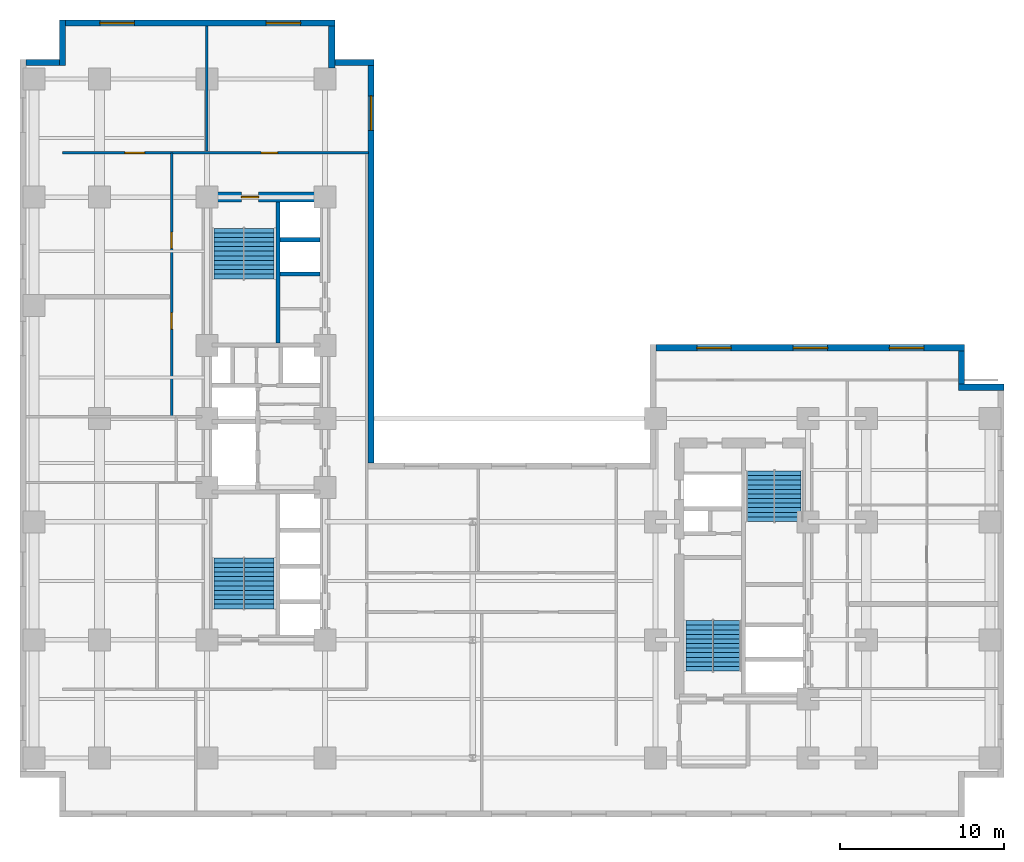
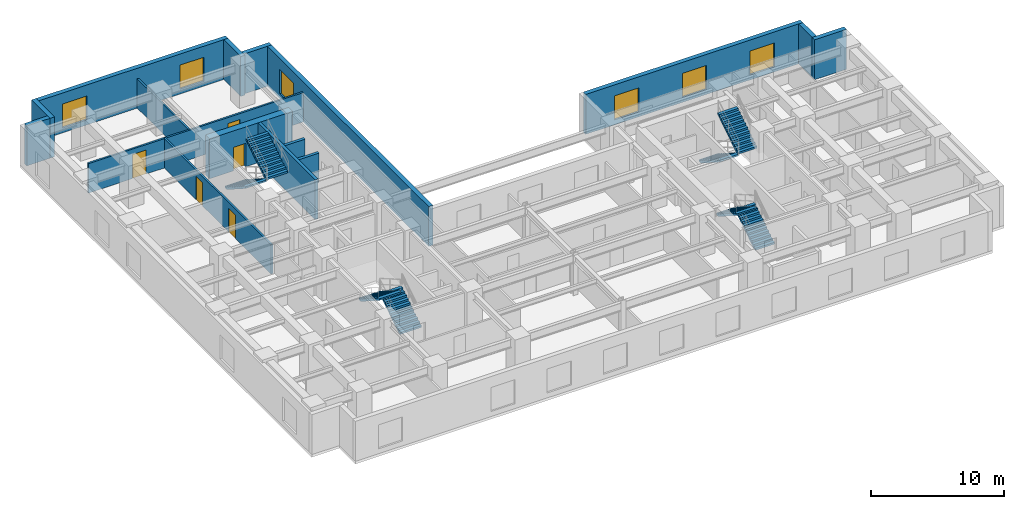
# One storey, part 6 of 9: 16 walls, 8 stair flights, 6 windows, 5 doors, 11 openings, 4 elements without a shape of their own.
"""IFC4 building model written with IfcOpenShell, lengths in metres."""

from ifc_helpers import new_model, entity, si_unit, converted_unit, direction, frame, origin_with_axes, origin_2d_with_axis, place, context, subcontext, project, spatial, polyline, rectangle, outline, extrude, material, layer, layer_set, type_object, element, fill, aggregate, save


model = new_model("IFC4")

# Units and contexts
model_context = context("Model", 3, precision=1e-05, world=origin_with_axes(), true_north=direction((0.0, 1.0)))
body_context = subcontext(model_context, "Body", "Model", "MODEL_VIEW")
ifc_project = project(units=[si_unit("LENGTHUNIT", "METRE"), si_unit("AREAUNIT", "SQUARE_METRE"), si_unit("VOLUMEUNIT", "CUBIC_METRE"), converted_unit("PLANEANGLEUNIT", "DEGREE", entity("IfcPlaneAngleMeasure", 0.017453292519943295), si_unit("PLANEANGLEUNIT", "RADIAN"), dimensions=[0, 0, 0, 0, 0, 0, 0]), si_unit("MASSUNIT", "GRAM", prefix="KILO"), si_unit("THERMODYNAMICTEMPERATUREUNIT", "KELVIN")], contexts=[model_context])

# Site, building, storey
site_placement = place(None, origin_with_axes())
site = spatial("IfcSite", under=ifc_project, at=site_placement, CompositionType="ELEMENT")
building_placement = place(site_placement, origin_with_axes())
building = spatial("IfcBuilding", under=site, at=building_placement, Name="Varnlund Millrace Tower", CompositionType="ELEMENT")
storey_placement = place(building_placement, frame((0.0, 0.0, 32.7), z_axis=(0.0, 0.0, 1.0), x_axis=(1.0, 0.0, 0.0)))
storey = spatial("IfcBuildingStorey", under=building, at=storey_placement, Name="L07", CompositionType="ELEMENT", Elevation=32.7)

# Wall, opening, door
ifc_material_1 = material(Name="Concrete C80/95", Category="concrete")
ifc_layer_1 = layer(ifc_material_1, 0.6, Name="Concrete C80/95")
ifc_layer_set_1 = layer_set([ifc_layer_1], Name="Concrete C80/95")
wall_type_1 = type_object("IfcWallType", Name="Type-CoreWall-Shear-600-C80", PredefinedType="SHEAR", material=ifc_layer_set_1)
wall_1_placement = place(storey_placement, frame((11.4, 37.8, 0.0), z_axis=(0.0, 0.0, 1.0), x_axis=(1.0, 0.0, 0.0)))
wall_1 = element("IfcWall", 1, at=wall_1_placement, inside=storey, type_object=wall_type_1, Name="Type-CoreWall-Shear-600-C80", PredefinedType="SHEAR", context=body_context, shape_type="SweptSolid", body=[
    extrude(outline(polyline([(0.0, -0.3), (7.2, -0.3), (7.2, 0.3), (0.0, 0.3), (0.0, -0.3)])), origin_with_axes(), (0.0, 0.0, 1.0), 3.66),
])
opening_1_placement = place(wall_1_placement, frame((2.625, 0.0, 0.0), z_axis=(0.0, 0.0, 1.0), x_axis=(1.0, 0.0, 0.0)))
opening_1 = element("IfcOpeningElement", 2, at=opening_1_placement, cuts=wall_1, Name="Opening L07:DR-STA2", PredefinedType="OPENING", context=body_context, shape_type="SweptSolid", body=[
    extrude(rectangle(XDim=1.05, YDim=0.62, at=origin_2d_with_axis()), origin_with_axes(), (0.0, 0.0, 1.0), 2.15),
])
ifc_material_2 = material(Name="Fire-rated hollow steel door", Category="steel")
door_type_1 = type_object("IfcDoorType", Name="Type-FireDoor-Stair-1050X2150", OperationType="NOTDEFINED", PredefinedType="DOOR", material=ifc_material_2)
door_1_placement = place(wall_1_placement, frame((2.625, 0.0, 0.0), z_axis=(0.0, 0.0, 1.0), x_axis=(1.0, 0.0, 0.0)))
door_1 = element("IfcDoor", 3, at=door_1_placement, inside=storey, type_object=door_type_1, Name="Type-FireDoor-Stair-1050X2150", OperationType="SINGLE_SWING_RIGHT", OverallHeight=2.15, OverallWidth=1.05, PredefinedType="DOOR", context=body_context, shape_type="SweptSolid", body=[
    extrude(rectangle(XDim=1.05, YDim=0.09, at=origin_2d_with_axis()), origin_with_axes(), (0.0, 0.0, 1.0), 2.15),
])
fill(opening_1, door_1)

# Wall, openings, windows
ifc_material_3 = material(Name="Precast concrete C50/60", Category="concrete")
ifc_layer_2 = layer(ifc_material_3, 0.38, Name="Precast concrete C50/60")
ifc_layer_set_2 = layer_set([ifc_layer_2], Name="Precast concrete C50/60")
wall_type_2 = type_object("IfcWallType", Name="Type-ExtWall-Precast-Tube-380", PredefinedType="SOLIDWALL", material=ifc_layer_set_2)
wall_2_placement = place(storey_placement, frame((38.78, 28.61, 0.0), z_axis=(0.0, 0.0, 1.0), x_axis=(1.0, 0.0, 0.0)))
wall_2 = element("IfcWall", 4, at=wall_2_placement, inside=storey, type_object=wall_type_2, Name="Type-ExtWall-Precast-Tube-380", PredefinedType="SOLIDWALL", context=body_context, shape_type="SweptSolid", body=[
    extrude(outline(polyline([(0.0, -0.19), (18.82, -0.19), (18.82, 0.19), (0.0, 0.19), (0.0, -0.19)])), origin_with_axes(), (0.0, 0.0, 1.0), 3.66),
])
opening_2_placement = place(wall_2_placement, frame((3.537, 0.0, 0.45), z_axis=(0.0, 0.0, 1.0), x_axis=(1.0, 0.0, 0.0)))
opening_2 = element("IfcOpeningElement", 5, at=opening_2_placement, cuts=wall_2, Name="Opening L07:WN-01", PredefinedType="OPENING", context=body_context, shape_type="SweptSolid", body=[
    extrude(rectangle(XDim=2.1, YDim=0.4, at=origin_2d_with_axis()), origin_with_axes(), (0.0, 0.0, 1.0), 2.2),
])
opening_3_placement = place(wall_2_placement, frame((9.41, 0.0, 0.45), z_axis=(0.0, 0.0, 1.0), x_axis=(1.0, 0.0, 0.0)))
opening_3 = element("IfcOpeningElement", 6, at=opening_3_placement, cuts=wall_2, Name="Opening L07:WN-02", PredefinedType="OPENING", context=body_context, shape_type="SweptSolid", body=[
    extrude(rectangle(XDim=2.1, YDim=0.4, at=origin_2d_with_axis()), origin_with_axes(), (0.0, 0.0, 1.0), 2.2),
])
opening_4_placement = place(wall_2_placement, frame((15.283, 0.0, 0.45), z_axis=(0.0, 0.0, 1.0), x_axis=(1.0, 0.0, 0.0)))
opening_4 = element("IfcOpeningElement", 7, at=opening_4_placement, cuts=wall_2, Name="Opening L07:WN-03", PredefinedType="OPENING", context=body_context, shape_type="SweptSolid", body=[
    extrude(rectangle(XDim=2.1, YDim=0.4, at=origin_2d_with_axis()), origin_with_axes(), (0.0, 0.0, 1.0), 2.2),
])
ifc_material_4 = material(Name="Argon low-e triple glazing in thermally broken bronze frame", Category="glass")
window_type = type_object("IfcWindowType", Name="Type-Window-Punched-2100X2200", PartitioningType="SINGLE_PANEL", PredefinedType="WINDOW", material=ifc_material_4)
window_1_placement = place(wall_2_placement, frame((3.537, 0.0, 0.45), z_axis=(0.0, 0.0, 1.0), x_axis=(1.0, 0.0, 0.0)))
window_1 = element("IfcWindow", 8, at=window_1_placement, inside=storey, type_object=window_type, Name="Type-Window-Punched-2100X2200", OverallHeight=2.2, OverallWidth=2.1, PredefinedType="WINDOW", context=body_context, shape_type="SweptSolid", body=[
    extrude(rectangle(XDim=2.1, YDim=0.09, at=origin_2d_with_axis()), origin_with_axes(), (0.0, 0.0, 1.0), 2.2),
])
fill(opening_2, window_1)
window_2_placement = place(wall_2_placement, frame((9.41, 0.0, 0.45), z_axis=(0.0, 0.0, 1.0), x_axis=(1.0, 0.0, 0.0)))
window_2 = element("IfcWindow", 9, at=window_2_placement, inside=storey, type_object=window_type, Name="Type-Window-Punched-2100X2200", OverallHeight=2.2, OverallWidth=2.1, PredefinedType="WINDOW", context=body_context, shape_type="SweptSolid", body=[
    extrude(rectangle(XDim=2.1, YDim=0.09, at=origin_2d_with_axis()), origin_with_axes(), (0.0, 0.0, 1.0), 2.2),
])
fill(opening_3, window_2)
window_3_placement = place(wall_2_placement, frame((15.283, 0.0, 0.45), z_axis=(0.0, 0.0, 1.0), x_axis=(1.0, 0.0, 0.0)))
window_3 = element("IfcWindow", 10, at=window_3_placement, inside=storey, type_object=window_type, Name="Type-Window-Punched-2100X2200", OverallHeight=2.2, OverallWidth=2.1, PredefinedType="WINDOW", context=body_context, shape_type="SweptSolid", body=[
    extrude(rectangle(XDim=2.1, YDim=0.09, at=origin_2d_with_axis()), origin_with_axes(), (0.0, 0.0, 1.0), 2.2),
])
fill(opening_4, window_3)

# Walls
wall_3_placement = place(storey_placement, frame((57.41, 28.42, 0.0), z_axis=(0.0, 0.0, 1.0), x_axis=(0.0, -1.0, 0.0)))
element("IfcWall", 11, at=wall_3_placement, inside=storey, type_object=wall_type_2, Name="Type-ExtWall-Precast-Tube-380", PredefinedType="SOLIDWALL", context=body_context, shape_type="SweptSolid", body=[
    extrude(outline(polyline([(0.0, -0.19), (2.02, -0.19), (2.02, 0.19), (0.0, 0.19), (0.0, -0.19)])), origin_with_axes(), (0.0, 0.0, 1.0), 3.66),
])
wall_4_placement = place(storey_placement, frame((57.22, 26.21, 0.0), z_axis=(0.0, 0.0, 1.0), x_axis=(1.0, 0.0, 0.0)))
element("IfcWall", 12, at=wall_4_placement, inside=storey, type_object=wall_type_2, Name="Type-ExtWall-Precast-Tube-380", PredefinedType="SOLIDWALL", context=body_context, shape_type="SweptSolid", body=[
    extrude(outline(polyline([(0.0, -0.19), (2.78, -0.19), (2.78, 0.19), (0.0, 0.19), (0.0, -0.19)])), origin_with_axes(), (0.0, 0.0, 1.0), 3.66),
])
wall_5_placement = place(storey_placement, frame((0.38, 46.01, 0.0), z_axis=(0.0, 0.0, 1.0), x_axis=(1.0, 0.0, 0.0)))
element("IfcWall", 13, at=wall_5_placement, inside=storey, type_object=wall_type_2, Name="Type-ExtWall-Precast-Tube-380", PredefinedType="SOLIDWALL", context=body_context, shape_type="SweptSolid", body=[
    extrude(outline(polyline([(0.0, -0.19), (2.02, -0.19), (2.02, 0.19), (0.0, 0.19), (0.0, -0.19)])), origin_with_axes(), (0.0, 0.0, 1.0), 3.66),
])
wall_6_placement = place(storey_placement, frame((2.59, 45.82, 0.0), z_axis=(0.0, 0.0, 1.0), x_axis=(0.0, 1.0, 0.0)))
element("IfcWall", 14, at=wall_6_placement, inside=storey, type_object=wall_type_2, Name="Type-ExtWall-Precast-Tube-380", PredefinedType="SOLIDWALL", context=body_context, shape_type="SweptSolid", body=[
    extrude(outline(polyline([(0.0, -0.19), (2.78, -0.19), (2.78, 0.19), (0.0, 0.19), (0.0, -0.19)])), origin_with_axes(), (0.0, 0.0, 1.0), 3.66),
])

# Wall, openings, windows
wall_7_placement = place(storey_placement, frame((2.78, 48.41, 0.0), z_axis=(0.0, 0.0, 1.0), x_axis=(1.0, 0.0, 0.0)))
wall_7 = element("IfcWall", 15, at=wall_7_placement, inside=storey, type_object=wall_type_2, Name="Type-ExtWall-Precast-Tube-380", PredefinedType="SOLIDWALL", context=body_context, shape_type="SweptSolid", body=[
    extrude(outline(polyline([(0.0, -0.19), (16.42, -0.19), (16.42, 0.19), (0.0, 0.19), (0.0, -0.19)])), origin_with_axes(), (0.0, 0.0, 1.0), 3.66),
])
opening_5_placement = place(wall_7_placement, frame((3.137, 0.0, 0.45), z_axis=(0.0, 0.0, 1.0), x_axis=(1.0, 0.0, 0.0)))
opening_5 = element("IfcOpeningElement", 16, at=opening_5_placement, cuts=wall_7, Name="Opening L07:WN-21", PredefinedType="OPENING", context=body_context, shape_type="SweptSolid", body=[
    extrude(rectangle(XDim=2.1, YDim=0.4, at=origin_2d_with_axis()), origin_with_axes(), (0.0, 0.0, 1.0), 2.2),
])
opening_6_placement = place(wall_7_placement, frame((13.283, 0.0, 0.45), z_axis=(0.0, 0.0, 1.0), x_axis=(1.0, 0.0, 0.0)))
opening_6 = element("IfcOpeningElement", 17, at=opening_6_placement, cuts=wall_7, Name="Opening L07:WN-22", PredefinedType="OPENING", context=body_context, shape_type="SweptSolid", body=[
    extrude(rectangle(XDim=2.1, YDim=0.4, at=origin_2d_with_axis()), origin_with_axes(), (0.0, 0.0, 1.0), 2.2),
])
window_4_placement = place(wall_7_placement, frame((3.137, 0.0, 0.45), z_axis=(0.0, 0.0, 1.0), x_axis=(1.0, 0.0, 0.0)))
window_4 = element("IfcWindow", 18, at=window_4_placement, inside=storey, type_object=window_type, Name="Type-Window-Punched-2100X2200", OverallHeight=2.2, OverallWidth=2.1, PredefinedType="WINDOW", context=body_context, shape_type="SweptSolid", body=[
    extrude(rectangle(XDim=2.1, YDim=0.09, at=origin_2d_with_axis()), origin_with_axes(), (0.0, 0.0, 1.0), 2.2),
])
fill(opening_5, window_4)
window_5_placement = place(wall_7_placement, frame((13.283, 0.0, 0.45), z_axis=(0.0, 0.0, 1.0), x_axis=(1.0, 0.0, 0.0)))
window_5 = element("IfcWindow", 19, at=window_5_placement, inside=storey, type_object=window_type, Name="Type-Window-Punched-2100X2200", OverallHeight=2.2, OverallWidth=2.1, PredefinedType="WINDOW", context=body_context, shape_type="SweptSolid", body=[
    extrude(rectangle(XDim=2.1, YDim=0.09, at=origin_2d_with_axis()), origin_with_axes(), (0.0, 0.0, 1.0), 2.2),
])
fill(opening_6, window_5)

# Walls
wall_8_placement = place(storey_placement, frame((19.01, 48.22, 0.0), z_axis=(0.0, 0.0, 1.0), x_axis=(0.0, -1.0, 0.0)))
element("IfcWall", 20, at=wall_8_placement, inside=storey, type_object=wall_type_2, Name="Type-ExtWall-Precast-Tube-380", PredefinedType="SOLIDWALL", context=body_context, shape_type="SweptSolid", body=[
    extrude(outline(polyline([(0.0, -0.19), (2.56, -0.19), (2.56, 0.19), (0.0, 0.19), (0.0, -0.19)])), origin_with_axes(), (0.0, 0.0, 1.0), 3.66),
])
wall_9_placement = place(storey_placement, frame((18.82, 46.01, 0.0), z_axis=(0.0, 0.0, 1.0), x_axis=(1.0, 0.0, 0.0)))
element("IfcWall", 21, at=wall_9_placement, inside=storey, type_object=wall_type_2, Name="Type-ExtWall-Precast-Tube-380", PredefinedType="SOLIDWALL", context=body_context, shape_type="SweptSolid", body=[
    extrude(outline(polyline([(0.0, -0.19), (2.78, -0.19), (2.78, 0.19), (0.0, 0.19), (0.0, -0.19)])), origin_with_axes(), (0.0, 0.0, 1.0), 3.66),
])

# Wall, opening, window
wall_10_placement = place(storey_placement, frame((21.41, 45.82, 0.0), z_axis=(0.0, 0.0, 1.0), x_axis=(0.0, -1.0, 0.0)))
wall_10 = element("IfcWall", 22, at=wall_10_placement, inside=storey, type_object=wall_type_2, Name="Type-ExtWall-Precast-Tube-380", PredefinedType="SOLIDWALL", context=body_context, shape_type="SweptSolid", body=[
    extrude(outline(polyline([(0.0, -0.19), (24.22, -0.19), (24.22, 0.19), (0.0, 0.19), (0.0, -0.19)])), origin_with_axes(), (0.0, 0.0, 1.0), 3.66),
])
opening_7_placement = place(wall_10_placement, frame((2.902, 0.0, 0.45), z_axis=(0.0, 0.0, 1.0), x_axis=(1.0, 0.0, 0.0)))
opening_7 = element("IfcOpeningElement", 23, at=opening_7_placement, cuts=wall_10, Name="Opening L07:WN-23", PredefinedType="OPENING", context=body_context, shape_type="SweptSolid", body=[
    extrude(rectangle(XDim=2.1, YDim=0.4, at=origin_2d_with_axis()), origin_with_axes(), (0.0, 0.0, 1.0), 2.2),
])
window_6_placement = place(wall_10_placement, frame((2.902, 0.0, 0.45), z_axis=(0.0, 0.0, 1.0), x_axis=(1.0, 0.0, 0.0)))
window_6 = element("IfcWindow", 24, at=window_6_placement, inside=storey, type_object=window_type, Name="Type-Window-Punched-2100X2200", OverallHeight=2.2, OverallWidth=2.1, PredefinedType="WINDOW", context=body_context, shape_type="SweptSolid", body=[
    extrude(rectangle(XDim=2.1, YDim=0.09, at=origin_2d_with_axis()), origin_with_axes(), (0.0, 0.0, 1.0), 2.2),
])
fill(opening_7, window_6)

# Wall, openings, doors
ifc_material_5 = material(Name="Fire-rated gypsum board on cold-formed steel framing", Category="steel")
ifc_layer_3 = layer(ifc_material_5, 0.16, Name="Fire-rated gypsum board on cold-formed steel framing")
ifc_layer_set_3 = layer_set([ifc_layer_3], Name="Fire-rated gypsum board on cold-formed steel framing")
wall_type_3 = type_object("IfcWallType", Name="Type-Partition-Corridor-160", PredefinedType="PARTITIONING", material=ifc_layer_set_3)
wall_11_placement = place(storey_placement, frame((2.6, 40.5, 0.0), z_axis=(0.0, 0.0, 1.0), x_axis=(1.0, 0.0, 0.0)))
wall_11 = element("IfcWall", 25, at=wall_11_placement, inside=storey, type_object=wall_type_3, Name="Type-Partition-Corridor-160", PredefinedType="PARTITIONING", context=body_context, shape_type="SweptSolid", body=[
    extrude(outline(polyline([(0.0, -0.08), (18.65, -0.08), (18.65, 0.08), (0.0, 0.08), (0.0, -0.08)])), origin_with_axes(), (0.0, 0.0, 1.0), 2.7),
])
opening_8_placement = place(wall_11_placement, frame((4.395, 0.0, 0.0), z_axis=(0.0, 0.0, 1.0), x_axis=(1.0, 0.0, 0.0)))
opening_8 = element("IfcOpeningElement", 26, at=opening_8_placement, cuts=wall_11, Name="Opening L07:DR-WAN-01", PredefinedType="OPENING", context=body_context, shape_type="SweptSolid", body=[
    extrude(rectangle(XDim=1.2, YDim=0.18, at=origin_2d_with_axis()), origin_with_axes(), (0.0, 0.0, 1.0), 2.2),
])
opening_9_placement = place(wall_11_placement, frame((12.61, 0.0, 0.0), z_axis=(0.0, 0.0, 1.0), x_axis=(1.0, 0.0, 0.0)))
opening_9 = element("IfcOpeningElement", 27, at=opening_9_placement, cuts=wall_11, Name="Opening L07:DR-WAN-02", PredefinedType="OPENING", context=body_context, shape_type="SweptSolid", body=[
    extrude(rectangle(XDim=1.0, YDim=0.18, at=origin_2d_with_axis()), origin_with_axes(), (0.0, 0.0, 1.0), 2.15),
])
ifc_material_6 = material(Name="Wide executive white oak acoustic door")
door_type_2 = type_object("IfcDoorType", Name="Type-IntDoor-Exec-1200X2200", OperationType="NOTDEFINED", PredefinedType="DOOR", material=ifc_material_6)
door_2_placement = place(wall_11_placement, frame((4.395, 0.0, 0.0), z_axis=(0.0, 0.0, 1.0), x_axis=(1.0, 0.0, 0.0)))
door_2 = element("IfcDoor", 28, at=door_2_placement, inside=storey, type_object=door_type_2, Name="Type-IntDoor-Exec-1200X2200", OperationType="SINGLE_SWING_LEFT", OverallHeight=2.2, OverallWidth=1.2, PredefinedType="DOOR", context=body_context, shape_type="SweptSolid", body=[
    extrude(rectangle(XDim=1.2, YDim=0.09, at=origin_2d_with_axis()), origin_with_axes(), (0.0, 0.0, 1.0), 2.2),
])
fill(opening_8, door_2)
ifc_material_7 = material(Name="Solid-core white oak and bronze frame door")
door_type_3 = type_object("IfcDoorType", Name="Type-IntDoor-Office-1000X2150", OperationType="NOTDEFINED", PredefinedType="DOOR", material=ifc_material_7)
door_3_placement = place(wall_11_placement, frame((12.61, 0.0, 0.0), z_axis=(0.0, 0.0, 1.0), x_axis=(1.0, 0.0, 0.0)))
door_3 = element("IfcDoor", 29, at=door_3_placement, inside=storey, type_object=door_type_3, Name="Type-IntDoor-Office-1000X2150", OperationType="SINGLE_SWING_RIGHT", OverallHeight=2.15, OverallWidth=1.0, PredefinedType="DOOR", context=body_context, shape_type="SweptSolid", body=[
    extrude(rectangle(XDim=1.0, YDim=0.09, at=origin_2d_with_axis()), origin_with_axes(), (0.0, 0.0, 1.0), 2.15),
])
fill(opening_9, door_3)

wall_12_placement = place(storey_placement, frame((9.25, 24.4, 0.0), z_axis=(0.0, 0.0, 1.0), x_axis=(0.0, 1.0, 0.0)))
wall_12 = element("IfcWall", 30, at=wall_12_placement, inside=storey, type_object=wall_type_3, Name="Type-Partition-Corridor-160", PredefinedType="PARTITIONING", context=body_context, shape_type="SweptSolid", body=[
    extrude(outline(polyline([(0.0, -0.08), (16.1, -0.08), (16.1, 0.08), (0.0, 0.08), (0.0, -0.08)])), origin_with_axes(), (0.0, 0.0, 1.0), 2.7),
])
opening_10_placement = place(wall_12_placement, frame((5.853, 0.0, 0.0), z_axis=(0.0, 0.0, 1.0), x_axis=(1.0, 0.0, 0.0)))
opening_10 = element("IfcOpeningElement", 31, at=opening_10_placement, cuts=wall_12, Name="Opening L07:DR-WN-01", PredefinedType="OPENING", context=body_context, shape_type="SweptSolid", body=[
    extrude(rectangle(XDim=1.0, YDim=0.18, at=origin_2d_with_axis()), origin_with_axes(), (0.0, 0.0, 1.0), 2.15),
])
opening_11_placement = place(wall_12_placement, frame((10.768, 0.0, 0.0), z_axis=(0.0, 0.0, 1.0), x_axis=(1.0, 0.0, 0.0)))
opening_11 = element("IfcOpeningElement", 32, at=opening_11_placement, cuts=wall_12, Name="Opening L07:DR-WN-02", PredefinedType="OPENING", context=body_context, shape_type="SweptSolid", body=[
    extrude(rectangle(XDim=1.0, YDim=0.18, at=origin_2d_with_axis()), origin_with_axes(), (0.0, 0.0, 1.0), 2.15),
])
door_4_placement = place(wall_12_placement, frame((5.853, 0.0, 0.0), z_axis=(0.0, 0.0, 1.0), x_axis=(1.0, 0.0, 0.0)))
door_4 = element("IfcDoor", 33, at=door_4_placement, inside=storey, type_object=door_type_3, Name="Type-IntDoor-Office-1000X2150", OperationType="SINGLE_SWING_LEFT", OverallHeight=2.15, OverallWidth=1.0, PredefinedType="DOOR", context=body_context, shape_type="SweptSolid", body=[
    extrude(rectangle(XDim=1.0, YDim=0.09, at=origin_2d_with_axis()), origin_with_axes(), (0.0, 0.0, 1.0), 2.15),
])
fill(opening_10, door_4)
door_5_placement = place(wall_12_placement, frame((10.768, 0.0, 0.0), z_axis=(0.0, 0.0, 1.0), x_axis=(1.0, 0.0, 0.0)))
door_5 = element("IfcDoor", 34, at=door_5_placement, inside=storey, type_object=door_type_3, Name="Type-IntDoor-Office-1000X2150", OperationType="SINGLE_SWING_RIGHT", OverallHeight=2.15, OverallWidth=1.0, PredefinedType="DOOR", context=body_context, shape_type="SweptSolid", body=[
    extrude(rectangle(XDim=1.0, YDim=0.09, at=origin_2d_with_axis()), origin_with_axes(), (0.0, 0.0, 1.0), 2.15),
])
fill(opening_11, door_5)

# Walls
ifc_material_8 = material(Name="Acoustic STC-50 gypsum board partition", Category="gypsum")
ifc_layer_4 = layer(ifc_material_8, 0.15, Name="Acoustic STC-50 gypsum board partition")
ifc_layer_set_4 = layer_set([ifc_layer_4], Name="Acoustic STC-50 gypsum board partition")
wall_type_4 = type_object("IfcWallType", Name="Type-Partition-Demising-150", PredefinedType="PARTITIONING", material=ifc_layer_set_4)
wall_13_placement = place(storey_placement, frame((11.4, 40.6, 0.0), z_axis=(0.0, 0.0, 1.0), x_axis=(0.0, 1.0, 0.0)))
element("IfcWall", 35, at=wall_13_placement, inside=storey, type_object=wall_type_4, Name="Type-Partition-Demising-150", PredefinedType="PARTITIONING", context=body_context, shape_type="SweptSolid", body=[
    extrude(outline(polyline([(0.0, -0.075), (7.64, -0.075), (7.64, 0.075), (0.0, 0.075), (0.0, -0.075)])), origin_with_axes(), (0.0, 0.0, 1.0), 2.7),
])
ifc_material_9 = material(Name="Concrete C60/75", Category="concrete")
ifc_layer_5 = layer(ifc_material_9, 0.25, Name="Concrete C60/75")
ifc_layer_set_5 = layer_set([ifc_layer_5], Name="Concrete C60/75")
wall_type_5 = type_object("IfcWallType", Name="Type-ShaftWall-Fire-250", PredefinedType="SOLIDWALL", material=ifc_layer_set_5)
for number, where, z_axis, x_axis, name in (
    (36, (15.84, 33.1, 0.0), (0.0, 0.0, 1.0), (1.0, 0.0, 0.0), "Type-ShaftWall-Fire-250"),
    (37, (15.84, 35.2, 0.0), (0.0, 0.0, 1.0), (1.0, 0.0, 0.0), "Type-ShaftWall-Fire-250"),
):
    element("IfcWall", number, at=place(storey_placement, frame(where, z_axis=z_axis, x_axis=x_axis)), inside=storey, type_object=wall_type_5, Name=name, PredefinedType="SOLIDWALL", context=body_context, shape_type="SweptSolid", body=[
        extrude(outline(polyline([(0.0, -0.125), (2.46, -0.125), (2.46, 0.125), (0.0, 0.125), (0.0, -0.125)])), origin_with_axes(), (0.0, 0.0, 1.0), 2.7),
    ])
wall_type_6 = type_object("IfcWallType", Name="Type-StairWall-Shear-250", PredefinedType="SHEAR", material=ifc_layer_set_5)
wall_14_placement = place(storey_placement, frame((15.725, 28.9, 0.0), z_axis=(0.0, 0.0, 1.0), x_axis=(0.0, 1.0, 0.0)))
element("IfcWall", 38, at=wall_14_placement, inside=storey, type_object=wall_type_6, Name="Type-StairWall-Shear-250", PredefinedType="SHEAR", context=body_context, shape_type="SweptSolid", body=[
    extrude(outline(polyline([(0.0, -0.125), (8.6, -0.125), (8.6, 0.125), (0.0, 0.125), (0.0, -0.125)])), origin_with_axes(), (0.0, 0.0, 1.0), 3.66),
])

# Stair, stair flights
ifc_material_10 = material(Name="Concrete C50/60", Category="concrete")
stair_type_1 = type_object("IfcStairType", Name="Type-Stair-Dogleg-165-390", PredefinedType="HALF_TURN_STAIR", material=ifc_material_10)
stair_1_placement = place(storey_placement, origin_with_axes())
stair_1 = element("IfcStair", 39, at=stair_1_placement, inside=storey, type_object=stair_type_1, Name="Type-Stair-Dogleg-165-390", PredefinedType="HALF_TURN_STAIR")
stair_flight_type_1 = type_object("IfcStairFlightType", Name="Type-Dogleg-Run-165-390", PredefinedType="STRAIGHT", material=ifc_material_3)
stair_flight_1_placement = place(storey_placement, frame((42.225, 8.9, 0.0), z_axis=(1.0, 0.0, 0.0), x_axis=(0.0, 1.0, 0.0)))
stair_flight_1 = element("IfcStairFlight", 40, at=stair_flight_1_placement, type_object=stair_flight_type_1, Name="ST-B1 flight 1", NumberOfRisers=11, NumberOfTreads=11, PredefinedType="STRAIGHT", RiserHeight=0.177273, TreadLength=0.28, context=body_context, shape_type="SweptSolid", body=[
    extrude(outline(polyline([(0.0, 0.0), (0.0, 0.177273), (0.28, 0.177273), (0.28, 0.354545), (0.56, 0.354545), (0.56, 0.531818), (0.84, 0.531818), (0.84, 0.709091), (1.12, 0.709091), (1.12, 0.886364), (1.4, 0.886364), (1.4, 1.063636), (1.68, 1.063636), (1.68, 1.240909), (1.96, 1.240909), (1.96, 1.418182), (2.24, 1.418182), (2.24, 1.595454), (2.52, 1.595454), (2.52, 1.772727), (2.8, 1.772727), (2.8, 1.95), (3.08, 1.95), (3.08, 1.8), (0.28, 0.0), (0.0, 0.0)])), origin_with_axes(), (0.0, 0.0, 1.0), 1.65),
])
stair_flight_2_placement = place(storey_placement, frame((42.275, 11.98, 1.95), z_axis=(-1.0, 0.0, 0.0), x_axis=(0.0, -1.0, 0.0)))
stair_flight_2 = element("IfcStairFlight", 41, at=stair_flight_2_placement, type_object=stair_flight_type_1, Name="ST-B1 flight 2", NumberOfRisers=11, NumberOfTreads=11, PredefinedType="STRAIGHT", RiserHeight=0.177273, TreadLength=0.28, context=body_context, shape_type="SweptSolid", body=[
    extrude(outline(polyline([(0.0, 0.0), (0.0, 0.177273), (0.28, 0.177273), (0.28, 0.354545), (0.56, 0.354545), (0.56, 0.531818), (0.84, 0.531818), (0.84, 0.709091), (1.12, 0.709091), (1.12, 0.886364), (1.4, 0.886364), (1.4, 1.063636), (1.68, 1.063636), (1.68, 1.240909), (1.96, 1.240909), (1.96, 1.418182), (2.24, 1.418182), (2.24, 1.595454), (2.52, 1.595454), (2.52, 1.772727), (2.8, 1.772727), (2.8, 1.95), (3.08, 1.95), (3.08, 1.8), (0.28, 0.0), (0.0, 0.0)])), origin_with_axes(), (0.0, 0.0, 1.0), 1.65),
])
aggregate(stair_1, [stair_flight_1, stair_flight_2])

stair_2_placement = place(storey_placement, origin_with_axes())
stair_2 = element("IfcStair", 42, at=stair_2_placement, inside=storey, type_object=stair_type_1, Name="Type-Stair-Dogleg-165-390", PredefinedType="HALF_TURN_STAIR")
stair_flight_3_placement = place(storey_placement, frame((46.025, 21.1, 0.0), z_axis=(-1.0, 0.0, 0.0), x_axis=(0.0, -1.0, 0.0)))
stair_flight_3 = element("IfcStairFlight", 43, at=stair_flight_3_placement, type_object=stair_flight_type_1, Name="ST-B2 flight 1", NumberOfRisers=11, NumberOfTreads=11, PredefinedType="STRAIGHT", RiserHeight=0.177273, TreadLength=0.28, context=body_context, shape_type="SweptSolid", body=[
    extrude(outline(polyline([(0.0, 0.0), (0.0, 0.177273), (0.28, 0.177273), (0.28, 0.354545), (0.56, 0.354545), (0.56, 0.531818), (0.84, 0.531818), (0.84, 0.709091), (1.12, 0.709091), (1.12, 0.886364), (1.4, 0.886364), (1.4, 1.063636), (1.68, 1.063636), (1.68, 1.240909), (1.96, 1.240909), (1.96, 1.418182), (2.24, 1.418182), (2.24, 1.595454), (2.52, 1.595454), (2.52, 1.772727), (2.8, 1.772727), (2.8, 1.95), (3.08, 1.95), (3.08, 1.8), (0.28, 0.0), (0.0, 0.0)])), origin_with_axes(), (0.0, 0.0, 1.0), 1.65),
])
stair_flight_4_placement = place(storey_placement, frame((45.975, 18.02, 1.95), z_axis=(1.0, 0.0, 0.0), x_axis=(0.0, 1.0, 0.0)))
stair_flight_4 = element("IfcStairFlight", 44, at=stair_flight_4_placement, type_object=stair_flight_type_1, Name="ST-B2 flight 2", NumberOfRisers=11, NumberOfTreads=11, PredefinedType="STRAIGHT", RiserHeight=0.177273, TreadLength=0.28, context=body_context, shape_type="SweptSolid", body=[
    extrude(outline(polyline([(0.0, 0.0), (0.0, 0.177273), (0.28, 0.177273), (0.28, 0.354545), (0.56, 0.354545), (0.56, 0.531818), (0.84, 0.531818), (0.84, 0.709091), (1.12, 0.709091), (1.12, 0.886364), (1.4, 0.886364), (1.4, 1.063636), (1.68, 1.063636), (1.68, 1.240909), (1.96, 1.240909), (1.96, 1.418182), (2.24, 1.418182), (2.24, 1.595454), (2.52, 1.595454), (2.52, 1.772727), (2.8, 1.772727), (2.8, 1.95), (3.08, 1.95), (3.08, 1.8), (0.28, 0.0), (0.0, 0.0)])), origin_with_axes(), (0.0, 0.0, 1.0), 1.65),
])
aggregate(stair_2, [stair_flight_3, stair_flight_4])

stair_type_2 = type_object("IfcStairType", Name="Type-Stair-Dogleg-185-390", PredefinedType="HALF_TURN_STAIR", material=ifc_material_10)
stair_3_placement = place(storey_placement, origin_with_axes())
stair_3 = element("IfcStair", 45, at=stair_3_placement, inside=storey, type_object=stair_type_2, Name="Type-Stair-Dogleg-185-390", PredefinedType="HALF_TURN_STAIR")
stair_flight_type_2 = type_object("IfcStairFlightType", Name="Type-Dogleg-Run-185-390", PredefinedType="STRAIGHT", material=ifc_material_3)
stair_flight_5_placement = place(storey_placement, frame((13.625, 12.7, 0.0), z_axis=(1.0, 0.0, 0.0), x_axis=(0.0, 1.0, 0.0)))
stair_flight_5 = element("IfcStairFlight", 46, at=stair_flight_5_placement, type_object=stair_flight_type_2, Name="ST-A1 flight 1", NumberOfRisers=11, NumberOfTreads=11, PredefinedType="STRAIGHT", RiserHeight=0.177273, TreadLength=0.28, context=body_context, shape_type="SweptSolid", body=[
    extrude(outline(polyline([(0.0, 0.0), (0.0, 0.177273), (0.28, 0.177273), (0.28, 0.354545), (0.56, 0.354545), (0.56, 0.531818), (0.84, 0.531818), (0.84, 0.709091), (1.12, 0.709091), (1.12, 0.886364), (1.4, 0.886364), (1.4, 1.063636), (1.68, 1.063636), (1.68, 1.240909), (1.96, 1.240909), (1.96, 1.418182), (2.24, 1.418182), (2.24, 1.595454), (2.52, 1.595454), (2.52, 1.772727), (2.8, 1.772727), (2.8, 1.95), (3.08, 1.95), (3.08, 1.8), (0.28, 0.0), (0.0, 0.0)])), origin_with_axes(), (0.0, 0.0, 1.0), 1.85),
])
stair_flight_6_placement = place(storey_placement, frame((13.675, 15.78, 1.95), z_axis=(-1.0, 0.0, 0.0), x_axis=(0.0, -1.0, 0.0)))
stair_flight_6 = element("IfcStairFlight", 47, at=stair_flight_6_placement, type_object=stair_flight_type_2, Name="ST-A1 flight 2", NumberOfRisers=11, NumberOfTreads=11, PredefinedType="STRAIGHT", RiserHeight=0.177273, TreadLength=0.28, context=body_context, shape_type="SweptSolid", body=[
    extrude(outline(polyline([(0.0, 0.0), (0.0, 0.177273), (0.28, 0.177273), (0.28, 0.354545), (0.56, 0.354545), (0.56, 0.531818), (0.84, 0.531818), (0.84, 0.709091), (1.12, 0.709091), (1.12, 0.886364), (1.4, 0.886364), (1.4, 1.063636), (1.68, 1.063636), (1.68, 1.240909), (1.96, 1.240909), (1.96, 1.418182), (2.24, 1.418182), (2.24, 1.595454), (2.52, 1.595454), (2.52, 1.772727), (2.8, 1.772727), (2.8, 1.95), (3.08, 1.95), (3.08, 1.8), (0.28, 0.0), (0.0, 0.0)])), origin_with_axes(), (0.0, 0.0, 1.0), 1.85),
])
aggregate(stair_3, [stair_flight_5, stair_flight_6])

stair_4_placement = place(storey_placement, origin_with_axes())
stair_4 = element("IfcStair", 48, at=stair_4_placement, inside=storey, type_object=stair_type_2, Name="Type-Stair-Dogleg-185-390", PredefinedType="HALF_TURN_STAIR")
stair_flight_7_placement = place(storey_placement, frame((13.675, 35.9, 0.0), z_axis=(-1.0, 0.0, 0.0), x_axis=(0.0, -1.0, 0.0)))
stair_flight_7 = element("IfcStairFlight", 49, at=stair_flight_7_placement, type_object=stair_flight_type_2, Name="ST-A2 flight 1", NumberOfRisers=11, NumberOfTreads=11, PredefinedType="STRAIGHT", RiserHeight=0.177273, TreadLength=0.28, context=body_context, shape_type="SweptSolid", body=[
    extrude(outline(polyline([(0.0, 0.0), (0.0, 0.177273), (0.28, 0.177273), (0.28, 0.354545), (0.56, 0.354545), (0.56, 0.531818), (0.84, 0.531818), (0.84, 0.709091), (1.12, 0.709091), (1.12, 0.886364), (1.4, 0.886364), (1.4, 1.063636), (1.68, 1.063636), (1.68, 1.240909), (1.96, 1.240909), (1.96, 1.418182), (2.24, 1.418182), (2.24, 1.595454), (2.52, 1.595454), (2.52, 1.772727), (2.8, 1.772727), (2.8, 1.95), (3.08, 1.95), (3.08, 1.8), (0.28, 0.0), (0.0, 0.0)])), origin_with_axes(), (0.0, 0.0, 1.0), 1.85),
])
stair_flight_8_placement = place(storey_placement, frame((13.625, 32.82, 1.95), z_axis=(1.0, 0.0, 0.0), x_axis=(0.0, 1.0, 0.0)))
stair_flight_8 = element("IfcStairFlight", 50, at=stair_flight_8_placement, type_object=stair_flight_type_2, Name="ST-A2 flight 2", NumberOfRisers=11, NumberOfTreads=11, PredefinedType="STRAIGHT", RiserHeight=0.177273, TreadLength=0.28, context=body_context, shape_type="SweptSolid", body=[
    extrude(outline(polyline([(0.0, 0.0), (0.0, 0.177273), (0.28, 0.177273), (0.28, 0.354545), (0.56, 0.354545), (0.56, 0.531818), (0.84, 0.531818), (0.84, 0.709091), (1.12, 0.709091), (1.12, 0.886364), (1.4, 0.886364), (1.4, 1.063636), (1.68, 1.063636), (1.68, 1.240909), (1.96, 1.240909), (1.96, 1.418182), (2.24, 1.418182), (2.24, 1.595454), (2.52, 1.595454), (2.52, 1.772727), (2.8, 1.772727), (2.8, 1.95), (3.08, 1.95), (3.08, 1.8), (0.28, 0.0), (0.0, 0.0)])), origin_with_axes(), (0.0, 0.0, 1.0), 1.85),
])
aggregate(stair_4, [stair_flight_7, stair_flight_8])

save(model, "model.ifc")
